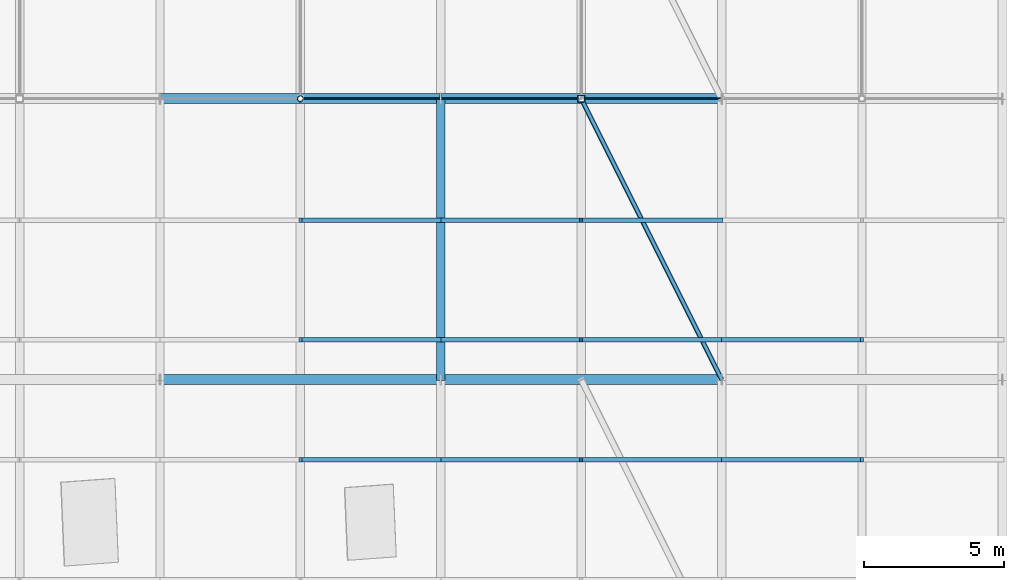
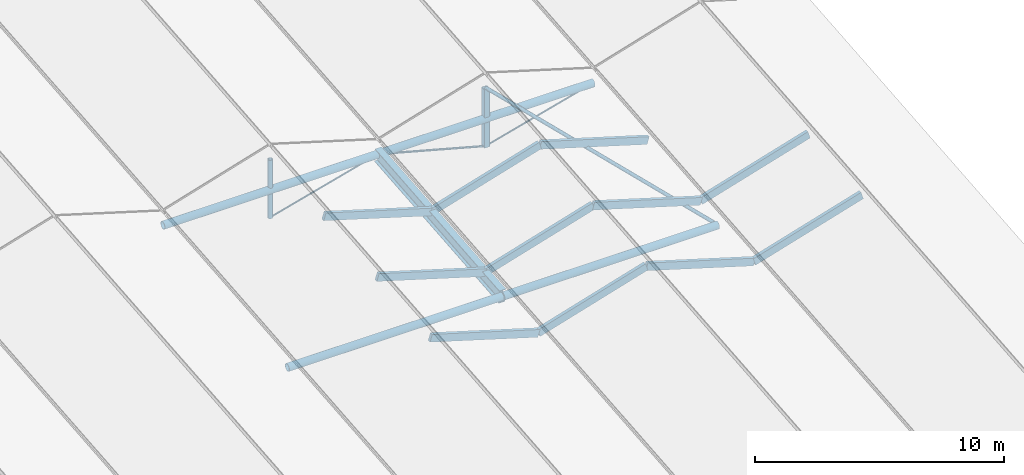
# One storey, part 21 of 90: 17 members, 5 beams.
"""IFC4 building model written with IfcOpenShell, lengths in metres."""

from ifc_helpers import new_model, si_unit, direction, frame, origin, origin_2d, place, context, subcontext, project, spatial, rectangle, hollow_rectangle, circle, hollow_circle, i_section, extrude, material, material_profile, profile_set, type_object, element, save


model = new_model("IFC4")

# Units and contexts
model_context = context("Model", 3, precision=1e-05, world=origin(), true_north=direction((0.0, 1.0)))
body_context = subcontext(model_context, "Body", "Model", "MODEL_VIEW")
ifc_project = project(units=[si_unit("LENGTHUNIT", "METRE"), si_unit("AREAUNIT", "SQUARE_METRE"), si_unit("VOLUMEUNIT", "CUBIC_METRE"), si_unit("PLANEANGLEUNIT", "RADIAN"), si_unit("MASSUNIT", "GRAM", prefix="KILO"), si_unit("THERMODYNAMICTEMPERATUREUNIT", "KELVIN"), si_unit("POWERUNIT", "WATT")], contexts=[model_context])

# Site, building, storey
site_placement = place(None, origin())
site = spatial("IfcSite", under=ifc_project, at=site_placement, CompositionType="ELEMENT")
building_placement = place(site_placement, origin())
building = spatial("IfcBuilding", under=site, at=building_placement, Name="Korenveer Ferry Terminal", CompositionType="ELEMENT")
storey_placement = place(building_placement, frame((0.0, 0.0, 22.199951171875)))
storey = spatial("IfcBuildingStorey", under=building, at=storey_placement, Name="RF", CompositionType="ELEMENT", Elevation=22.199951171875)

# Beam
ifc_material_1 = material(Name="Steel S355", Category="steel")
ifc_material_profile_1 = material_profile(ifc_material_1, i_section(OverallWidth=0.300048828125, OverallDepth=0.64990234375, WebThickness=0.01611328125, FlangeThickness=0.031005859375, FilletRadius=0.027099609375, at=origin_2d()), Name="HEB 650")
ifc_profile_set_1 = profile_set([ifc_material_profile_1], Name="Steel S355")
beam_type_1 = type_object("IfcBeamType", Name="STR-BM-HEB650", PredefinedType="BEAM", material=ifc_profile_set_1)
beam_placement = place(storey_placement, frame((103.0, 40.0, -9.585693359375), z_axis=(0.0, 0.995903364261, 0.090423940715), x_axis=(-1.0, 0.0, 0.0)))
element("IfcBeam", 1, at=beam_placement, inside=storey, type_object=beam_type_1, Name="Folded roof valley girder 45", PredefinedType="BEAM", context=body_context, shape_type="SweptSolid", body=[
    extrude(i_section(OverallWidth=0.300048828125, OverallDepth=0.64990234375, WebThickness=0.01611328125, FlangeThickness=0.031005859375, FilletRadius=0.027099609375, at=origin_2d()), origin(), (0.0, 0.0, 1.0), 10.041015625),
])

# Members
ifc_material_profile_2 = material_profile(ifc_material_1, hollow_circle(Radius=0.084228515625, WallThickness=0.010009765625, at=origin_2d()), Name="CHS 168.3x10")
ifc_profile_set_2 = profile_set([ifc_material_profile_2], Name="Steel S355")
member_type_1 = type_object("IfcMemberType", Name="STR-BRC-CHS168", PredefinedType="BRACE", material=ifc_profile_set_2)
member_1_placement = place(storey_placement, frame((113.0, 40.0, -9.585693359375), z_axis=(-0.437110045644, 0.874220091289, 0.211362342872), x_axis=(-0.894427191, -0.4472135955, 0.0)))
element("IfcMember", 2, at=member_1_placement, inside=storey, type_object=member_type_1, Name="Roof wind brace BRCRF-B5-Y40", PredefinedType="BRACE", context=body_context, shape_type="SweptSolid", body=[
    extrude(hollow_circle(Radius=0.084228515625, WallThickness=0.010009765625, at=origin_2d()), origin(), (0.0, 0.0, 1.0), 11.438720703125),
])
ifc_material_2 = material(Name="High-strength steel S460", Category="steel")
ifc_material_profile_3 = material_profile(ifc_material_2, circle(Radius=0.0380859375, at=origin_2d()), Name="ROD D76")
ifc_profile_set_3 = profile_set([ifc_material_profile_3], Name="High-strength steel S460")
member_type_2 = type_object("IfcMemberType", Name="STR-CBL-D76", PredefinedType="USERDEFINED", material=ifc_profile_set_3)
for number, where, z_axis, x_axis, name in (
    (3, (103.0, 50.0, -8.677734375), (-0.965436200058, 0.0, -0.260639489752), (0.0, -1.0, 0.0), "Roof tension tie cable 24"),
    (4, (103.0, 50.0, -8.677734375), (0.965436200058, 0.0, -0.260639489752), (0.0, 1.0, 0.0), "Roof tension tie cable 25"),
    (5, (113.0, 50.0, -8.677734375), (-0.965436200058, 0.0, -0.260639489752), (0.0, -1.0, 0.0), "Roof tension tie cable 26"),
):
    element("IfcMember", number, at=place(storey_placement, frame(where, z_axis=z_axis, x_axis=x_axis)), inside=storey, type_object=member_type_2, Name=name, ObjectType="CABLE", PredefinedType="USERDEFINED", context=body_context, shape_type="SweptSolid", body=[
        extrude(circle(Radius=0.0380859375, at=origin_2d()), origin(), (0.0, 0.0, 1.0), 5.178955078125),
    ])
ifc_material_3 = material(Name="Glulam GL28h", Category="wood")
ifc_material_profile_4 = material_profile(ifc_material_3, rectangle(XDim=0.159912109375, YDim=0.360107421875, at=origin_2d()), Name="GL 160x360")
ifc_profile_set_4 = profile_set([ifc_material_profile_4], Name="Glulam GL28h")
member_type_3 = type_object("IfcMemberType", Name="STR-PUR-GL160", PredefinedType="PURLIN", material=ifc_profile_set_4)
for number, where, z_axis, x_axis, name in (
    (6, (98.0, 37.1357421875, -8.11474609375), (0.957310140112, 0.0, -0.289062788401), (0.0, 1.0, 0.0), "Folded roof glulam purlin 154"),
    (7, (98.0, 41.4072265625, -7.726806640625), (0.957310140112, 0.0, -0.289062788401), (0.0, 1.0, 0.0), "Folded roof glulam purlin 155"),
    (8, (98.0, 45.678466796875, -7.339111328125), (0.957323074362, 0.0, -0.289019949647), (0.0, 1.0, 0.0), "Folded roof glulam purlin 156"),
    (9, (103.0, 37.1357421875, -9.62451171875), (0.957310140112, 0.0, 0.289062788401), (0.0, 1.0, 0.0), "Folded roof glulam purlin 184"),
    (10, (103.0, 41.4072265625, -9.236572265625), (0.957310140112, 0.0, 0.289062788401), (0.0, 1.0, 0.0), "Folded roof glulam purlin 185"),
    (11, (103.0, 45.678466796875, -8.8486328125), (0.957323074362, 0.0, 0.289019949647), (0.0, 1.0, 0.0), "Folded roof glulam purlin 186"),
    (12, (108.0, 37.1357421875, -8.11474609375), (0.957310140112, 0.0, -0.289062788401), (0.0, 1.0, 0.0), "Folded roof glulam purlin 190"),
    (13, (108.0, 41.4072265625, -7.726806640625), (0.957310140112, 0.0, -0.289062788401), (0.0, 1.0, 0.0), "Folded roof glulam purlin 191"),
    (14, (108.0, 45.678466796875, -7.339111328125), (0.957323074362, 0.0, -0.289019949647), (0.0, 1.0, 0.0), "Folded roof glulam purlin 192"),
    (15, (113.0, 37.1357421875, -9.62451171875), (0.957310140112, 0.0, 0.289062788401), (0.0, 1.0, 0.0), "Folded roof glulam purlin 220"),
    (16, (113.0, 41.4072265625, -9.236572265625), (0.957310140112, 0.0, 0.289062788401), (0.0, 1.0, 0.0), "Folded roof glulam purlin 221"),
):
    element("IfcMember", number, at=place(storey_placement, frame(where, z_axis=z_axis, x_axis=x_axis)), inside=storey, type_object=member_type_3, Name=name, PredefinedType="PURLIN", context=body_context, shape_type="SweptSolid", body=[
        extrude(rectangle(XDim=0.159912109375, YDim=0.360107421875, at=origin_2d()), origin(), (0.0, 0.0, 1.0), 5.222900390625),
    ])

# Beams
ifc_material_profile_5 = material_profile(ifc_material_1, hollow_circle(Radius=0.177734375, WallThickness=0.01611328125, at=origin_2d()), Name="CHS 355.6x16")
ifc_profile_set_5 = profile_set([ifc_material_profile_5], Name="Steel S355")
beam_type_2 = type_object("IfcBeamType", Name="STR-RFG-CHS355", PredefinedType="USERDEFINED", material=ifc_profile_set_5)
for number, where, z_axis, x_axis, name in (
    (17, (93.02001953125, 40.0, -9.585693359375), (1.0, 0.0, 0.0), (0.0, 1.0, 0.0), "Roof transverse tie girder 93"),
    (18, (103.02001953125, 40.0, -9.585693359375), (1.0, 0.0, 0.0), (0.0, 1.0, 0.0), "Roof transverse tie girder 94"),
    (19, (93.02001953125, 50.0, -8.677734375), (1.0, 0.0, 0.0), (0.0, 1.0, 0.0), "Roof transverse tie girder 100"),
    (20, (103.02001953125, 50.0, -8.677734375), (1.0, 0.0, 0.0), (0.0, 1.0, 0.0), "Roof transverse tie girder 101"),
):
    element("IfcBeam", number, at=place(storey_placement, frame(where, z_axis=z_axis, x_axis=x_axis)), inside=storey, type_object=beam_type_2, Name=name, ObjectType="ROOF GIRDER", PredefinedType="USERDEFINED", context=body_context, shape_type="SweptSolid", body=[
        extrude(hollow_circle(Radius=0.177734375, WallThickness=0.01611328125, at=origin_2d()), origin(), (0.0, 0.0, 1.0), 9.9599609375),
    ])

# Members
ifc_material_profile_6 = material_profile(ifc_material_1, hollow_circle(Radius=0.109619140625, WallThickness=0.012451171875, at=origin_2d()), Name="CHS 219.1x12.5")
ifc_profile_set_6 = profile_set([ifc_material_profile_6], Name="Steel S355")
member_type_4 = type_object("IfcMemberType", Name="STR-STT-CHS219", PredefinedType="STRUT", material=ifc_profile_set_6)
member_2_placement = place(storey_placement, frame((98.0, 50.0, -10.027587890625), z_axis=(0.0, 0.0, 1.0), x_axis=(1.0, 0.0, 0.0)))
element("IfcMember", 21, at=member_2_placement, inside=storey, type_object=member_type_4, Name="Roof king-post strut STTKP-Y50-B4", PredefinedType="STRUT", context=body_context, shape_type="SweptSolid", body=[
    extrude(hollow_circle(Radius=0.109619140625, WallThickness=0.012451171875, at=origin_2d()), origin(), (0.0, 0.0, 1.0), 2.859619140625),
])
ifc_material_profile_7 = material_profile(ifc_material_1, hollow_rectangle(XDim=0.25, YDim=0.25, WallThickness=0.012451171875, InnerFilletRadius=0.012451171875, OuterFilletRadius=0.018798828125, at=origin_2d()), Name="SHS 250x250x12.5")
ifc_profile_set_7 = profile_set([ifc_material_profile_7], Name="Steel S355")
member_type_5 = type_object("IfcMemberType", Name="STR-STT-SHS250", PredefinedType="STRUT", material=ifc_profile_set_7)
member_3_placement = place(storey_placement, frame((108.0, 50.0, -10.027587890625), z_axis=(0.0, 0.0, 1.0), x_axis=(1.0, 0.0, 0.0)))
element("IfcMember", 22, at=member_3_placement, inside=storey, type_object=member_type_5, Name="Roof king-post strut STTKP-Y50-B5", PredefinedType="STRUT", context=body_context, shape_type="SweptSolid", body=[
    extrude(hollow_rectangle(XDim=0.25, YDim=0.25, WallThickness=0.012451171875, InnerFilletRadius=0.012451171875, OuterFilletRadius=0.018798828125, at=origin_2d()), origin(), (0.0, 0.0, 1.0), 2.859619140625),
])

save(model, "model.ifc")
